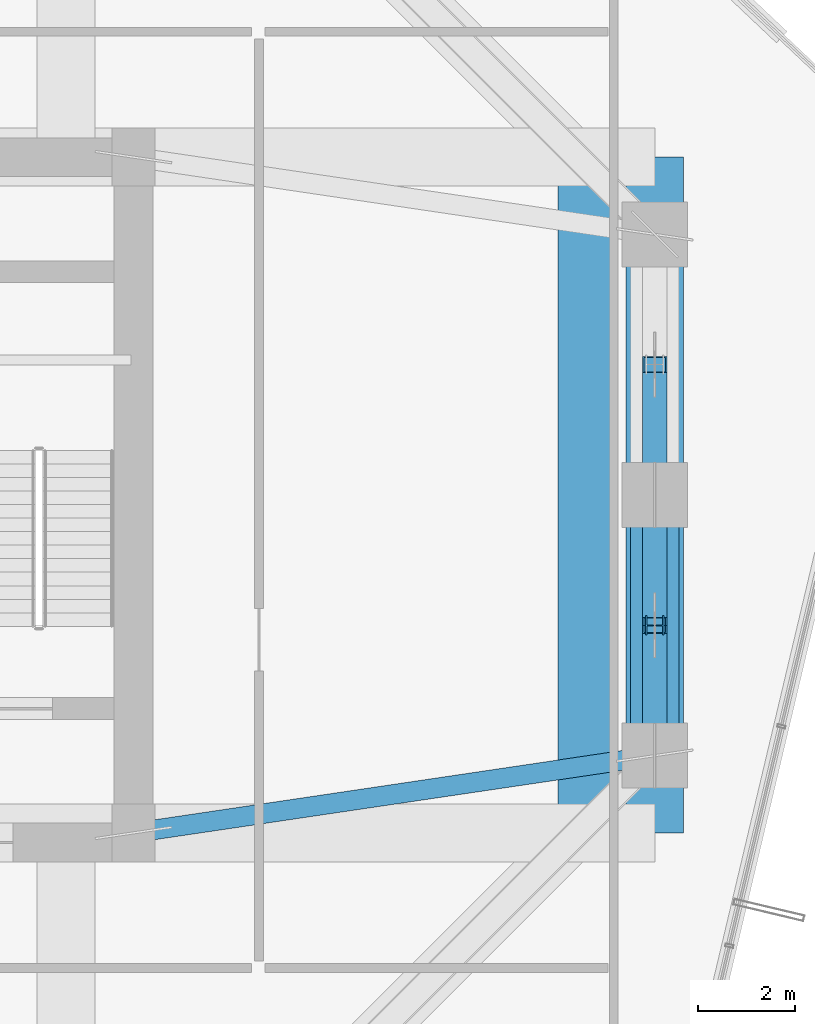
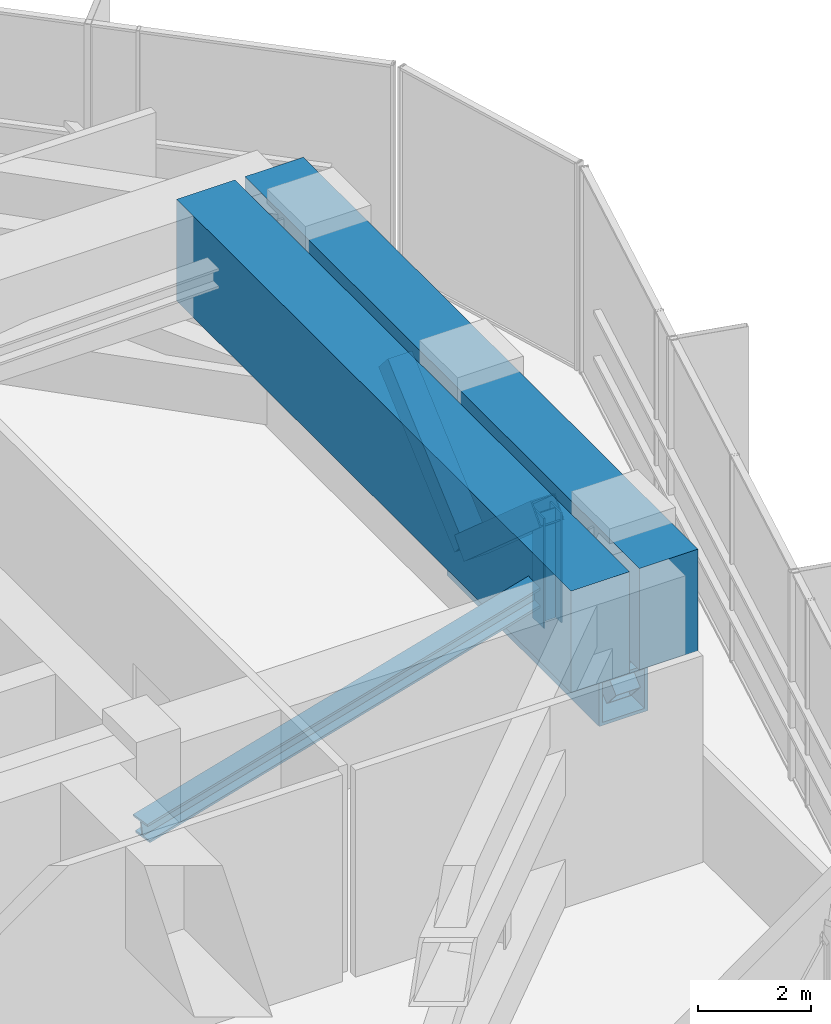
# One storey, part 17 of 41: 6 members, 2 beams.
"""IFC4 building model written with IfcOpenShell, lengths in metres."""

from ifc_helpers import new_model, si_unit, direction, frame, origin, origin_2d, place, context, subcontext, project, spatial, rectangle, hollow_rectangle, i_section, extrude, material, material_profile, profile_set, type_object, element, save


model = new_model("IFC4")

# Units and contexts
model_context = context("Model", 3, precision=1e-05, world=origin(), true_north=direction((0.0, 1.0)))
body_context = subcontext(model_context, "Body", "Model", "MODEL_VIEW")
ifc_project = project(units=[si_unit("LENGTHUNIT", "METRE"), si_unit("AREAUNIT", "SQUARE_METRE"), si_unit("VOLUMEUNIT", "CUBIC_METRE"), si_unit("PLANEANGLEUNIT", "RADIAN"), si_unit("MASSUNIT", "GRAM", prefix="KILO")], contexts=[model_context])

# Site, building, storey
site_placement = place(None, origin())
site = spatial("IfcSite", under=ifc_project, at=site_placement, CompositionType="ELEMENT")
building_placement = place(site_placement, origin())
building = spatial("IfcBuilding", under=site, at=building_placement, Name="Veraguas Prism Commons", CompositionType="ELEMENT")
storey_placement = place(building_placement, frame((0.0, 0.0, 80.35009765625)))
storey = spatial("IfcBuildingStorey", under=building, at=storey_placement, Name="L22", CompositionType="ELEMENT", Elevation=80.35009765625)

# Members
ifc_material_1 = material(Name="Steel ASTM A913 Grade 65", Category="steel")
ifc_material_profile_1 = material_profile(ifc_material_1, hollow_rectangle(XDim=1.0, YDim=1.0, WallThickness=0.070068359375, at=origin_2d()), Name="BOX1000X1000X70")
ifc_profile_set_1 = profile_set([ifc_material_profile_1], Name="Steel ASTM A913 Grade 65")
member_type_1 = type_object("IfcMemberType", Name="Belt Truss Chord L22 Box 1000x1000x70", PredefinedType="CHORD", material=ifc_profile_set_1)
member_1_placement = place(storey_placement, frame((41.60009765625, 18.60009765625, 0.5498046875), z_axis=(0.0, 1.0, 0.0), x_axis=(-1.0, 0.0, 0.0)))
element("IfcMember", 1, at=member_1_placement, inside=storey, type_object=member_type_1, Name="Perimeter Belt Truss Chord Bottom L22-01", PredefinedType="CHORD", context=body_context, shape_type="SweptSolid", body=[
    extrude(hollow_rectangle(XDim=1.0, YDim=1.0, WallThickness=0.070068359375, at=origin_2d()), origin(), (0.0, 0.0, 1.0), 5.39990234375),
])
ifc_material_2 = material(Name="Steel ASTM A992 Grade 50", Category="steel")
ifc_material_profile_2 = material_profile(ifc_material_2, i_section(OverallWidth=0.39794921875, OverallDepth=0.386962890625, WebThickness=0.01904296875, FlangeThickness=0.0302734375, at=origin_2d()), Name="W360X262")
ifc_profile_set_2 = profile_set([ifc_material_profile_2], Name="Steel ASTM A992 Grade 50")
member_type_2 = type_object("IfcMemberType", Name="Belt Truss Vertical Strut W360x262", PredefinedType="STRUT", material=ifc_profile_set_2)
member_2_placement = place(storey_placement, frame((41.60009765625, 21.300048828125, 0.5498046875), z_axis=(0.0, 0.0, 1.0), x_axis=(0.0, 1.0, 0.0)))
element("IfcMember", 2, at=member_2_placement, inside=storey, type_object=member_type_2, Name="Perimeter Belt Truss Strut L22-01", PredefinedType="STRUT", context=body_context, shape_type="SweptSolid", body=[
    extrude(i_section(OverallWidth=0.39794921875, OverallDepth=0.386962890625, WebThickness=0.01904296875, FlangeThickness=0.0302734375, at=origin_2d()), origin(), (0.0, 0.0, 1.0), 2.380126953125),
])
ifc_material_profile_3 = material_profile(ifc_material_2, i_section(OverallWidth=0.408935546875, OverallDepth=0.425048828125, WebThickness=0.030517578125, FlangeThickness=0.049072265625, at=origin_2d()), Name="W360X421")
ifc_profile_set_3 = profile_set([ifc_material_profile_3], Name="Steel ASTM A992 Grade 50")
member_type_3 = type_object("IfcMemberType", Name="Outrigger Truss Diagonal W360x421", PredefinedType="BRACE", material=ifc_profile_set_3)
member_3_placement = place(storey_placement, frame((30.800048828125, 17.0, 2.419921875), z_axis=(0.979505763607, 0.145120165804, 0.139673177585), x_axis=(-0.146556765224, 0.989202261707, 0.0)))
element("IfcMember", 3, at=member_3_placement, inside=storey, type_object=member_type_3, Name="Outrigger Truss Diagonal L22-01", PredefinedType="BRACE", context=body_context, shape_type="SweptSolid", body=[
    extrude(i_section(OverallWidth=0.408935546875, OverallDepth=0.425048828125, WebThickness=0.030517578125, FlangeThickness=0.049072265625, at=origin_2d()), origin(), (0.0, 0.0, 1.0), 11.026123046875),
])
ifc_material_3 = material(Name="Steel ASTM A572 Grade 50", Category="steel")
ifc_material_profile_4 = material_profile(ifc_material_3, hollow_rectangle(XDim=0.5, YDim=0.5, WallThickness=0.02490234375, at=origin_2d()), Name="BOX500X500X25")
ifc_profile_set_4 = profile_set([ifc_material_profile_4], Name="Steel ASTM A572 Grade 50")
member_type_4 = type_object("IfcMemberType", Name="Perimeter Belt Diagonal BOX 500x500x25", PredefinedType="BRACE", material=ifc_profile_set_4)
for number, where, z_axis, x_axis, name in (
    (4, (41.60009765625, 18.60009765625, 0.5498046875), (0.0, 0.750138660667, 0.66128056812), (-1.0, 0.0, 0.0), "Perimeter Belt Truss Brace L22-01A"),
    (5, (41.60009765625, 24.0, 0.5498046875), (0.0, -0.750138660667, 0.66128056812), (1.0, 0.0, 0.0), "Perimeter Belt Truss Brace L22-01B"),
    (6, (41.60009765625, 24.0, 0.5498046875), (0.0, 0.750138660667, 0.66128056812), (-1.0, 0.0, 0.0), "Perimeter Belt Truss Brace L22-02A"),
):
    element("IfcMember", number, at=place(storey_placement, frame(where, z_axis=z_axis, x_axis=x_axis)), inside=storey, type_object=member_type_4, Name=name, PredefinedType="BRACE", context=body_context, shape_type="SweptSolid", body=[
        extrude(hollow_rectangle(XDim=0.5, YDim=0.5, WallThickness=0.02490234375, at=origin_2d()), origin(), (0.0, 0.0, 1.0), 3.599365234375),
    ])

# Beams
ifc_material_4 = material(Name="Concrete C50/60", Category="concrete")
ifc_material_profile_5 = material_profile(ifc_material_4, rectangle(XDim=1.199951171875, YDim=2.199951171875, at=origin_2d()), Name="RC1200X2200")
ifc_profile_set_5 = profile_set([ifc_material_profile_5], Name="Concrete C50/60")
beam_type = type_object("IfcBeamType", Name="Podium Transfer Girder RC 1200x2200", PredefinedType="BEAM", material=ifc_profile_set_5)
for number, where, z_axis, x_axis, name in (
    (7, (41.60009765625, 17.0, 3.3798828125), (0.0, 1.0, 0.0), (-1.0, 0.0, 0.0), "East Outer Edge Transfer Girder L22"),
    (8, (40.199951171875, 17.0, 3.3798828125), (0.0, 1.0, 0.0), (-1.0, 0.0, 0.0), "East Setback Transfer Girder L22"),
):
    element("IfcBeam", number, at=place(storey_placement, frame(where, z_axis=z_axis, x_axis=x_axis)), inside=storey, type_object=beam_type, Name=name, PredefinedType="BEAM", context=body_context, shape_type="SweptSolid", body=[
        extrude(rectangle(XDim=1.199951171875, YDim=2.199951171875, at=origin_2d()), origin(), (0.0, 0.0, 1.0), 14.0),
    ])

save(model, "model.ifc")
